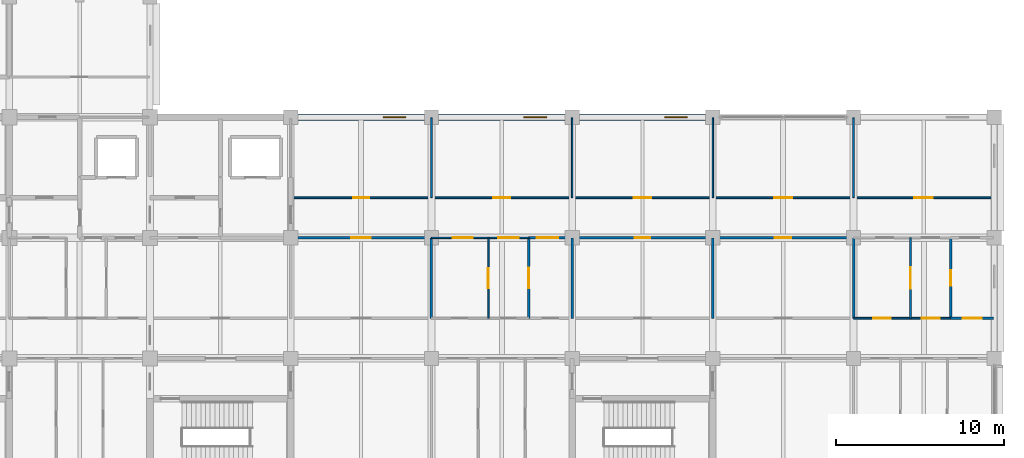
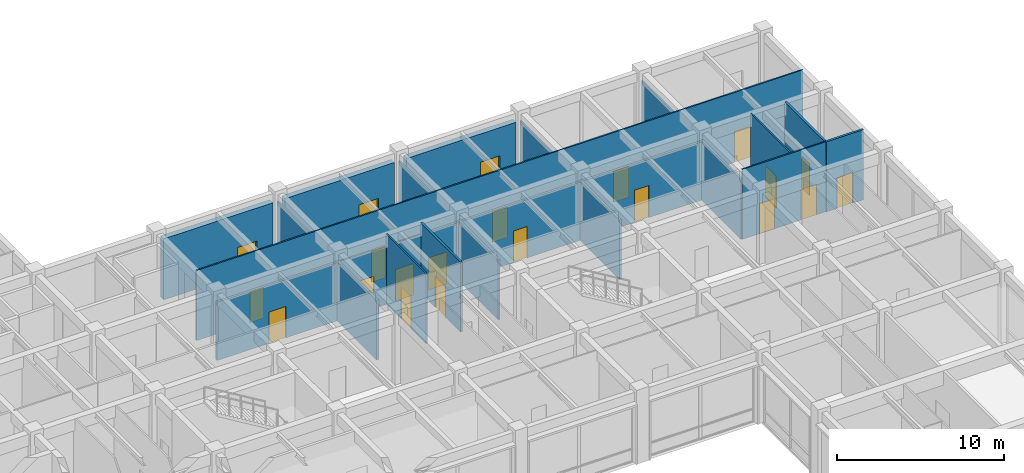
# One storey, part 41 of 51: 21 walls, 18 doors, 3 windows, 21 openings.
"""IFC4 building model written with IfcOpenShell, lengths in metres."""

import ifcopenshell
import ifcopenshell.guid

model = None  # the IFC model being written
_history = None  # IfcOwnerHistory: only IFC2X3 demands one
_inside = {}  # id of a spatial element -> (the spatial element, [elements in it])
_under = {}  # id of a project, library or spatial element -> (it, [spatial elements below it])
_declared = {}  # id of a project -> (the project, [libraries it declares])
_typed = {}  # id of a type object -> (the type object, [elements of that type])
_made_of = {}  # id of a material, layer set ... -> (it, [elements and type objects made of it])


def new_model(schema):
    """Start an empty IFC model of exactly this schema.

    Asked for "IFC4X3", IfcOpenShell would pick the latest addendum, in which some entities
    have other attributes; the version numbers below select the first issue.
    IFC2X3 requires an IfcOwnerHistory on every rooted entity: one is made here for all.
    """
    global model, _history
    if schema == "IFC4X3":
        model = ifcopenshell.file(schema_version=(4, 3, 0, 0))
    else:
        model = ifcopenshell.file(schema=schema)
    _inside.clear()
    _under.clear()
    _declared.clear()
    _typed.clear()
    _made_of.clear()
    _history = None
    if model.schema == "IFC2X3":
        org = make("IfcOrganization", Name="unknown")
        user = make(
            "IfcPersonAndOrganization",
            ThePerson=make("IfcPerson", FamilyName="unknown"),
            TheOrganization=org,
        )
        app = make(
            "IfcApplication",
            ApplicationDeveloper=org,
            Version="unknown",
            ApplicationFullName="unknown",
            ApplicationIdentifier="unknown",
        )
        _history = make(
            "IfcOwnerHistory",
            OwningUser=user,
            OwningApplication=app,
            ChangeAction="ADDED",
            CreationDate=0,
        )
    return model


def make(cls, **values):
    """One entity of the class cls with the attributes given. An attribute that is None is left unset."""
    return model.create_entity(
        cls, **{name: value for name, value in values.items() if value is not None}
    )


def rooted(cls, **values):
    """An entity with a GlobalId (a new one), such as an element, a storey or a relation."""
    return make(cls, GlobalId=ifcopenshell.guid.new(), OwnerHistory=_history, **values)


def si_unit(unit_type, name, prefix=None):
    """IfcSIUnit, for example si_unit("LENGTHUNIT", "METRE", prefix="MILLI")."""
    return make("IfcSIUnit", UnitType=unit_type, Prefix=prefix, Name=name)


def assignment(units):
    """IfcUnitAssignment: the units of a project."""
    return None if units is None else make("IfcUnitAssignment", Units=units)


def point(xyz):
    """IfcCartesianPoint."""
    return None if xyz is None else make("IfcCartesianPoint", Coordinates=xyz)


def direction(xyz):
    """IfcDirection."""
    return None if xyz is None else make("IfcDirection", DirectionRatios=xyz)


def frame(location, z_axis=None, x_axis=None):
    """IfcAxis2Placement3D, a coordinate frame: its origin and axes. An axis left out is left unset."""
    return make(
        "IfcAxis2Placement3D",
        Location=point(location),
        Axis=direction(z_axis),
        RefDirection=direction(x_axis),
    )


def frame_2d(location, x_axis=None):
    """IfcAxis2Placement2D, a coordinate frame in the plane: its origin and x axis."""
    return make(
        "IfcAxis2Placement2D", Location=point(location), RefDirection=direction(x_axis)
    )


def origin():
    """The frame at (0, 0, 0) with its axes left unset."""
    return frame((0.0, 0.0, 0.0))


def place(relative_to, where):
    """IfcLocalPlacement: puts the frame where relative to a parent placement (None: the world)."""
    return make(
        "IfcLocalPlacement", PlacementRelTo=relative_to, RelativePlacement=where
    )


def context(
    kind, dimensions, precision=None, world=None, true_north=None, identifier=None
):
    """IfcGeometricRepresentationContext, for example the 3D "Model" context."""
    return make(
        "IfcGeometricRepresentationContext",
        ContextIdentifier=identifier,
        ContextType=kind,
        CoordinateSpaceDimension=dimensions,
        Precision=precision,
        WorldCoordinateSystem=world,
        TrueNorth=true_north,
    )


def subcontext(parent, identifier, kind, view, scale=None):
    """IfcGeometricRepresentationSubContext, for example "Body" below "Model"."""
    return make(
        "IfcGeometricRepresentationSubContext",
        ContextIdentifier=identifier,
        ContextType=kind,
        ParentContext=parent,
        TargetScale=scale,
        TargetView=view,
    )


def project(units=None, contexts=None):
    """IfcProject with its units and contexts."""
    return rooted(
        "IfcProject",
        Name="project",
        RepresentationContexts=contexts,
        UnitsInContext=assignment(units),
    )


def spatial(cls, under=None, at=None, **own):
    """A site, building, storey or space (cls), placed at a placement, below another one or the project."""
    s = rooted(cls, ObjectPlacement=at, **own)
    if under is not None:
        _under.setdefault(under.id(), (under, []))[1].append(s)
    return s


def profile(cls, at=None, kind="AREA", **sizes):
    """A parametric profile (cls). Its sizes go by their IFC names, for example OverallWidth=200.0."""
    return make(cls, ProfileType=kind, Position=at, **sizes)


def rectangle(**sizes):
    """IfcRectangleProfileDef."""
    return profile("IfcRectangleProfileDef", **sizes)


def extrude(swept, where, along, depth):
    """IfcExtrudedAreaSolid: the profile swept, set in the frame where, extruded along a direction by depth."""
    return make(
        "IfcExtrudedAreaSolid",
        SweptArea=swept,
        Position=where,
        ExtrudedDirection=direction(along),
        Depth=depth,
    )


def shape(context_of_items, identifier, shape_type, items):
    """IfcShapeRepresentation: the items that make up one representation, for example the "Body"."""
    return make(
        "IfcShapeRepresentation",
        ContextOfItems=context_of_items,
        RepresentationIdentifier=identifier,
        RepresentationType=shape_type,
        Items=items,
    )


def material(Name=None, Category=None):
    """IfcMaterial."""
    return make("IfcMaterial", Name=Name, Category=Category)


def layer(
    of_material, thickness, ventilated=None, Name=None, Category=None, Priority=None
):
    """IfcMaterialLayer: one layer of a wall or slab, of a material (None: an air gap)."""
    return make(
        "IfcMaterialLayer",
        Material=of_material,
        LayerThickness=thickness,
        IsVentilated=ventilated,
        Name=Name,
        Category=Category,
        Priority=Priority,
    )


def layer_set(layers, Name=None):
    """IfcMaterialLayerSet."""
    return make("IfcMaterialLayerSet", MaterialLayers=layers, LayerSetName=Name)


def made_of(thing, what):
    """Note that an element or type object is made of a material, layer set ...; save() writes the relation."""
    if what is not None:
        _made_of.setdefault(what.id(), (what, []))[1].append(thing)
    return thing


def type_object(cls, material=None, **own):
    """A type object (cls), such as IfcWallType, which elements share."""
    return made_of(rooted(cls, **own), material)


def element(
    cls,
    number,
    at=None,
    inside=None,
    cuts=None,
    type_object=None,
    material=None,
    context=None,
    identifier="Body",
    shape_type=None,
    held_by="IfcProductDefinitionShape",
    body=None,
    shapes=None,
    **own,
):
    """One element of the class cls, such as IfcWall. Its Tag is "e" and its number.

    at: its placement. inside: the storey or other place that contains it. cuts: it is an
    opening in that element (IfcRelVoidsElement). A single representation is given by context,
    identifier, shape_type and body (its items); several are given by shapes. held_by: the class
    of the entity that holds the representations. save() writes the other relations.
    """
    e = rooted(cls, Tag="e%d" % number, ObjectPlacement=at, **own)
    if body is not None:
        shapes = [shape(context, identifier, shape_type, body)]
    if shapes is not None:
        e.Representation = make(held_by, Representations=shapes)
    if inside is not None:
        _inside.setdefault(inside.id(), (inside, []))[1].append(e)
    if cuts is not None:
        rooted(
            "IfcRelVoidsElement", RelatingBuildingElement=cuts, RelatedOpeningElement=e
        )
    if type_object is not None:
        _typed.setdefault(type_object.id(), (type_object, []))[1].append(e)
    return made_of(e, material)


def fill(opening, filler):
    """IfcRelFillsElement: the door or window that sits in an opening."""
    return rooted(
        "IfcRelFillsElement",
        RelatingOpeningElement=opening,
        RelatedBuildingElement=filler,
    )


def aggregate(whole, parts):
    """IfcRelAggregates: a whole, such as a stair, and the parts it consists of."""
    return rooted("IfcRelAggregates", RelatingObject=whole, RelatedObjects=parts)


def save(model, path):
    """Write the relations noted so far, then the file.

    IfcRelAggregates (storeys below a building ...), IfcRelContainedInSpatialStructure (elements
    in a storey), IfcRelDefinesByType, IfcRelAssociatesMaterial and IfcRelDeclares: one each for
    every whole, place, type object, material and project.
    """
    for whole, parts in _under.values():
        aggregate(whole, parts)
    for where, things in _inside.values():
        rooted(
            "IfcRelContainedInSpatialStructure",
            RelatedElements=things,
            RelatingStructure=where,
        )
    for kind, things in _typed.values():
        rooted("IfcRelDefinesByType", RelatedObjects=things, RelatingType=kind)
    for what, things in _made_of.values():
        rooted("IfcRelAssociatesMaterial", RelatedObjects=things, RelatingMaterial=what)
    for by, libraries in _declared.values():
        rooted("IfcRelDeclares", RelatingContext=by, RelatedDefinitions=libraries)
    model.write(path)


model = new_model("IFC4")

# Units and contexts
model_context = context("Model", 3, precision=1e-05, world=origin(), true_north=direction((0.0, 1.0)))
body_context = subcontext(model_context, "Body", "Model", "MODEL_VIEW")
ifc_project = project(units=[si_unit("LENGTHUNIT", "METRE"), si_unit("AREAUNIT", "SQUARE_METRE"), si_unit("VOLUMEUNIT", "CUBIC_METRE"), si_unit("PLANEANGLEUNIT", "RADIAN"), si_unit("MASSUNIT", "GRAM", prefix="KILO")], contexts=[model_context])

# Site, building, storey
site_placement = place(None, origin())
site = spatial("IfcSite", under=ifc_project, at=site_placement, CompositionType="ELEMENT")
building_placement = place(site_placement, origin())
building = spatial("IfcBuilding", under=site, at=building_placement, Name="Chengyuan Square Courthouse", CompositionType="ELEMENT")
storey_placement = place(building_placement, frame((0.0, 0.0, 10.800048828125)))
storey = spatial("IfcBuildingStorey", under=building, at=storey_placement, Name="L03", CompositionType="ELEMENT", Elevation=10.800048828125)

# Wall, opening, window
ifc_material_1 = material(Name="Concrete C40", Category="concrete")
ifc_layer_1 = layer(ifc_material_1, 0.3798828125)
ifc_layer_set_1 = layer_set([ifc_layer_1], Name="Concrete C40")
wall_type_1 = type_object("IfcWallType", Name="WL-EW1", PredefinedType="STANDARD", material=ifc_layer_set_1)
wall_1_placement = place(storey_placement, frame((126.419921875, 108.0, 0.0), z_axis=(0.0, 0.0, 1.0), x_axis=(1.0, 0.0, 0.0)))
wall_1 = element("IfcWall", 1, at=wall_1_placement, inside=storey, type_object=wall_type_1, Name="Exterior Wall WL-L03-E282", PredefinedType="STANDARD", context=body_context, shape_type="SweptSolid", body=[
    extrude(rectangle(XDim=7.56005859375, YDim=0.3798828125, at=frame_2d((3.780029296875, 0.0))), origin(), (0.0, 0.0, 1.0), 4.469970703125),
])
opening_1_placement = place(wall_1_placement, frame((5.10498046875, 0.0, 0.85009765625)))
opening_1 = element("IfcOpeningElement", 2, at=opening_1_placement, cuts=wall_1, Name="Opening WN-071", PredefinedType="OPENING", context=body_context, shape_type="SweptSolid", body=[
    extrude(rectangle(XDim=1.35009765625, YDim=1.199951171875, at=frame_2d((0.675048828125, 0.60009765625))), frame((0.0, 0.201904296875, 0.0), z_axis=(0.0, -1.0, 0.0), x_axis=(1.0, 0.0, 0.0)), (0.0, 0.0, 1.0), 0.40380859375),
])
ifc_material_2 = material(Name="Thermally Broken Aluminium Triple Low-E Window", Category="aluminium")
window_type_1 = type_object("IfcWindowType", Name="WT-19", PartitioningType="SINGLE_PANEL", PredefinedType="WINDOW", material=ifc_material_2)
window_1_placement = place(opening_1_placement, origin())
window_1 = element("IfcWindow", 3, at=window_1_placement, inside=storey, type_object=window_type_1, Name="Facade Window WN-071", OverallHeight=1.199951171875, OverallWidth=1.35009765625, PartitioningType="SINGLE_PANEL", PredefinedType="WINDOW", context=body_context, shape_type="SweptSolid", body=[
    extrude(rectangle(XDim=1.35009765625, YDim=1.199951171875, at=frame_2d((0.675048828125, 0.60009765625))), frame((0.0, 0.030029296875, 0.0), z_axis=(0.0, -1.0, 0.0), x_axis=(1.0, 0.0, 0.0)), (0.0, 0.0, 1.0), 0.06005859375),
])
fill(opening_1, window_1)

wall_2_placement = place(storey_placement, frame((134.820068359375, 108.0, 0.0), z_axis=(0.0, 0.0, 1.0), x_axis=(1.0, 0.0, 0.0)))
wall_2 = element("IfcWall", 4, at=wall_2_placement, inside=storey, type_object=wall_type_1, Name="Exterior Wall WL-L03-E283", PredefinedType="STANDARD", context=body_context, shape_type="SweptSolid", body=[
    extrude(rectangle(XDim=7.559814453125, YDim=0.3798828125, at=frame_2d((3.77978515625, 0.0))), origin(), (0.0, 0.0, 1.0), 4.469970703125),
])
opening_2_placement = place(wall_2_placement, frame((5.10498046875, 0.0, 0.85009765625)))
opening_2 = element("IfcOpeningElement", 5, at=opening_2_placement, cuts=wall_2, Name="Opening WN-072", PredefinedType="OPENING", context=body_context, shape_type="SweptSolid", body=[
    extrude(rectangle(XDim=1.35009765625, YDim=1.3798828125, at=frame_2d((0.675048828125, 0.68994140625))), frame((0.0, 0.201904296875, 0.0), z_axis=(0.0, -1.0, 0.0), x_axis=(1.0, 0.0, 0.0)), (0.0, 0.0, 1.0), 0.40380859375),
])
window_type_2 = type_object("IfcWindowType", Name="WT-20", PartitioningType="SINGLE_PANEL", PredefinedType="WINDOW", material=ifc_material_2)
window_2_placement = place(opening_2_placement, origin())
window_2 = element("IfcWindow", 6, at=window_2_placement, inside=storey, type_object=window_type_2, Name="Facade Window WN-072", OverallHeight=1.3798828125, OverallWidth=1.35009765625, PartitioningType="SINGLE_PANEL", PredefinedType="WINDOW", context=body_context, shape_type="SweptSolid", body=[
    extrude(rectangle(XDim=1.35009765625, YDim=1.3798828125, at=frame_2d((0.675048828125, 0.68994140625))), frame((0.0, 0.030029296875, 0.0), z_axis=(0.0, -1.0, 0.0), x_axis=(1.0, 0.0, 0.0)), (0.0, 0.0, 1.0), 0.06005859375),
])
fill(opening_2, window_2)

wall_3_placement = place(storey_placement, frame((143.219970703125, 108.0, 0.0), z_axis=(0.0, 0.0, 1.0), x_axis=(1.0, 0.0, 0.0)))
wall_3 = element("IfcWall", 7, at=wall_3_placement, inside=storey, type_object=wall_type_1, Name="Exterior Wall WL-L03-E284", PredefinedType="STANDARD", context=body_context, shape_type="SweptSolid", body=[
    extrude(rectangle(XDim=7.56005859375, YDim=0.3798828125, at=frame_2d((3.780029296875, 0.0))), origin(), (0.0, 0.0, 1.0), 4.469970703125),
])
opening_3_placement = place(wall_3_placement, frame((5.10498046875, 0.0, 0.85009765625)))
opening_3 = element("IfcOpeningElement", 8, at=opening_3_placement, cuts=wall_3, Name="Opening WN-073", PredefinedType="OPENING", context=body_context, shape_type="SweptSolid", body=[
    extrude(rectangle(XDim=1.35009765625, YDim=1.56005859375, at=frame_2d((0.675048828125, 0.780029296875))), frame((0.0, 0.201904296875, 0.0), z_axis=(0.0, -1.0, 0.0), x_axis=(1.0, 0.0, 0.0)), (0.0, 0.0, 1.0), 0.40380859375),
])
window_type_3 = type_object("IfcWindowType", Name="WT-21", PartitioningType="SINGLE_PANEL", PredefinedType="WINDOW", material=ifc_material_2)
window_3_placement = place(opening_3_placement, origin())
window_3 = element("IfcWindow", 9, at=window_3_placement, inside=storey, type_object=window_type_3, Name="Facade Window WN-073", OverallHeight=1.56005859375, OverallWidth=1.35009765625, PartitioningType="SINGLE_PANEL", PredefinedType="WINDOW", context=body_context, shape_type="SweptSolid", body=[
    extrude(rectangle(XDim=1.35009765625, YDim=1.56005859375, at=frame_2d((0.675048828125, 0.780029296875))), frame((0.0, 0.030029296875, 0.0), z_axis=(0.0, -1.0, 0.0), x_axis=(1.0, 0.0, 0.0)), (0.0, 0.0, 1.0), 0.06005859375),
])
fill(opening_3, window_3)

# Wall, opening, door
ifc_material_3 = material(Name="Deliberation Room Sound-Insulated Partition")
ifc_layer_2 = layer(ifc_material_3, 0.14990234375)
ifc_layer_set_2 = layer_set([ifc_layer_2], Name="Deliberation Room Sound-Insulated Partition")
wall_type_2 = type_object("IfcWallType", Name="WL-PT3", PredefinedType="STANDARD", material=ifc_layer_set_2)
wall_4_placement = place(storey_placement, frame((165.39990234375, 96.0, 0.0), z_axis=(0.0, 0.0, 1.0), x_axis=(1.0, 0.0, 0.0)))
wall_4 = element("IfcWall", 10, at=wall_4_placement, inside=storey, type_object=wall_type_2, Name="Interior Wall WL-L03-I1474", PredefinedType="STANDARD", context=body_context, shape_type="SweptSolid", body=[
    extrude(rectangle(XDim=2.56005859375, YDim=0.14990234375, at=frame_2d((1.280029296875, 0.0))), origin(), (0.0, 0.0, 1.0), 5.119873046875),
])
opening_4_placement = place(wall_4_placement, frame((0.719970703125, 0.0, 0.0)))
opening_4 = element("IfcOpeningElement", 11, at=opening_4_placement, cuts=wall_4, Name="Opening DR-1500", PredefinedType="OPENING", context=body_context, shape_type="SweptSolid", body=[
    extrude(rectangle(XDim=1.1201171875, YDim=2.25, at=frame_2d((0.56005859375, 1.125))), frame((0.0, 0.0869140625, 0.0), z_axis=(0.0, -1.0, 0.0), x_axis=(1.0, 0.0, 0.0)), (0.0, 0.0, 1.0), 0.173828125),
])
ifc_material_4 = material(Name="Acoustic Solid-Core Timber Door", Category="wood")
door_type_1 = type_object("IfcDoorType", Name="DT-34", OperationType="NOTDEFINED", PredefinedType="DOOR", material=ifc_material_4)
door_1_placement = place(opening_4_placement, origin())
door_1 = element("IfcDoor", 12, at=door_1_placement, inside=storey, type_object=door_type_1, Name="Interior Door DR-1500", OperationType="SINGLE_SWING_LEFT", OverallHeight=2.25, OverallWidth=1.1201171875, PredefinedType="DOOR", context=body_context, shape_type="SweptSolid", body=[
    extrude(rectangle(XDim=1.1201171875, YDim=2.25, at=frame_2d((0.56005859375, 1.125))), frame((0.0, 0.02490234375, 0.0), z_axis=(0.0, -1.0, 0.0), x_axis=(1.0, 0.0, 0.0)), (0.0, 0.0, 1.0), 0.050048828125),
])
fill(opening_4, door_1)

wall_5_placement = place(storey_placement, frame((126.0, 100.800048828125, 0.0), z_axis=(0.0, 0.0, 1.0), x_axis=(1.0, 0.0, 0.0)))
wall_5 = element("IfcWall", 13, at=wall_5_placement, inside=storey, type_object=wall_type_2, Name="Interior Wall WL-L03-I1493", PredefinedType="STANDARD", context=body_context, shape_type="SweptSolid", body=[
    extrude(rectangle(XDim=8.39990234375, YDim=0.14990234375, at=frame_2d((4.199951171875, 0.0))), origin(), (0.0, 0.0, 1.0), 4.27001953125),
])
opening_5_placement = place(wall_5_placement, frame((3.6201171875, 0.0, 0.0)))
opening_5 = element("IfcOpeningElement", 14, at=opening_5_placement, cuts=wall_5, Name="Opening DR-1433", PredefinedType="OPENING", context=body_context, shape_type="SweptSolid", body=[
    extrude(rectangle(XDim=1.159912109375, YDim=2.300048828125, at=frame_2d((0.580078125, 1.14990234375))), frame((0.0, 0.0869140625, 0.0), z_axis=(0.0, -1.0, 0.0), x_axis=(1.0, 0.0, 0.0)), (0.0, 0.0, 1.0), 0.173828125),
])
door_type_2 = type_object("IfcDoorType", Name="DT-35", OperationType="NOTDEFINED", PredefinedType="DOOR", material=ifc_material_4)
door_2_placement = place(opening_5_placement, origin())
door_2 = element("IfcDoor", 15, at=door_2_placement, inside=storey, type_object=door_type_2, Name="Interior Door DR-1433", OperationType="SINGLE_SWING_LEFT", OverallHeight=2.300048828125, OverallWidth=1.159912109375, PredefinedType="DOOR", context=body_context, shape_type="SweptSolid", body=[
    extrude(rectangle(XDim=1.159912109375, YDim=2.300048828125, at=frame_2d((0.580078125, 1.14990234375))), frame((0.0, 0.02490234375, 0.0), z_axis=(0.0, -1.0, 0.0), x_axis=(1.0, 0.0, 0.0)), (0.0, 0.0, 1.0), 0.050048828125),
])
fill(opening_5, door_2)

# Wall, openings, doors
wall_6_placement = place(storey_placement, frame((140.199951171875, 100.800048828125, 0.0), z_axis=(0.0, 0.0, 1.0), x_axis=(1.0, 0.0, 0.0)))
wall_6 = element("IfcWall", 16, at=wall_6_placement, inside=storey, type_object=wall_type_2, Name="Interior Wall WL-L03-I1495", PredefinedType="STANDARD", context=body_context, shape_type="SweptSolid", body=[
    extrude(rectangle(XDim=19.400146484375, YDim=0.14990234375, at=frame_2d((9.7001953125, 0.0))), origin(), (0.0, 0.0, 1.0), 4.27001953125),
])
opening_6_placement = place(wall_6_placement, frame((0.487548828125, 0.0, 0.0)))
opening_6 = element("IfcOpeningElement", 17, at=opening_6_placement, cuts=wall_6, Name="Opening DR-1436", PredefinedType="OPENING", context=body_context, shape_type="SweptSolid", body=[
    extrude(rectangle(XDim=1.280029296875, YDim=2.35009765625, at=frame_2d((0.64013671875, 1.175048828125))), frame((0.0, 0.0869140625, 0.0), z_axis=(0.0, -1.0, 0.0), x_axis=(1.0, 0.0, 0.0)), (0.0, 0.0, 1.0), 0.173828125),
])
opening_7_placement = place(wall_6_placement, frame((6.330078125, 0.0, 0.0)))
opening_7 = element("IfcOpeningElement", 18, at=opening_7_placement, cuts=wall_6, Name="Opening DR-1437", PredefinedType="OPENING", context=body_context, shape_type="SweptSolid", body=[
    extrude(rectangle(XDim=0.93994140625, YDim=2.300048828125, at=frame_2d((0.469970703125, 1.14990234375))), frame((0.0, 0.0869140625, 0.0), z_axis=(0.0, -1.0, 0.0), x_axis=(1.0, 0.0, 0.0)), (0.0, 0.0, 1.0), 0.173828125),
])
opening_8_placement = place(wall_6_placement, frame((14.7099609375, 0.0, 0.0)))
opening_8 = element("IfcOpeningElement", 19, at=opening_8_placement, cuts=wall_6, Name="Opening DR-1438", PredefinedType="OPENING", context=body_context, shape_type="SweptSolid", body=[
    extrude(rectangle(XDim=0.97998046875, YDim=2.35009765625, at=frame_2d((0.489990234375, 1.175048828125))), frame((0.0, 0.0869140625, 0.0), z_axis=(0.0, -1.0, 0.0), x_axis=(1.0, 0.0, 0.0)), (0.0, 0.0, 1.0), 0.173828125),
])
door_type_3 = type_object("IfcDoorType", Name="DT-38", OperationType="NOTDEFINED", PredefinedType="DOOR", material=ifc_material_4)
door_3_placement = place(opening_6_placement, origin())
door_3 = element("IfcDoor", 20, at=door_3_placement, inside=storey, type_object=door_type_3, Name="Interior Door DR-1436", OperationType="SINGLE_SWING_RIGHT", OverallHeight=2.35009765625, OverallWidth=1.280029296875, PredefinedType="DOOR", context=body_context, shape_type="SweptSolid", body=[
    extrude(rectangle(XDim=1.280029296875, YDim=2.35009765625, at=frame_2d((0.64013671875, 1.175048828125))), frame((0.0, 0.02490234375, 0.0), z_axis=(0.0, -1.0, 0.0), x_axis=(1.0, 0.0, 0.0)), (0.0, 0.0, 1.0), 0.050048828125),
])
fill(opening_6, door_3)
door_type_4 = type_object("IfcDoorType", Name="DT-39", OperationType="NOTDEFINED", PredefinedType="DOOR", material=ifc_material_4)
door_4_placement = place(opening_7_placement, origin())
door_4 = element("IfcDoor", 21, at=door_4_placement, inside=storey, type_object=door_type_4, Name="Interior Door DR-1437", OperationType="SINGLE_SWING_LEFT", OverallHeight=2.300048828125, OverallWidth=0.93994140625, PredefinedType="DOOR", context=body_context, shape_type="SweptSolid", body=[
    extrude(rectangle(XDim=0.93994140625, YDim=2.300048828125, at=frame_2d((0.469970703125, 1.14990234375))), frame((0.0, 0.02490234375, 0.0), z_axis=(0.0, -1.0, 0.0), x_axis=(1.0, 0.0, 0.0)), (0.0, 0.0, 1.0), 0.050048828125),
])
fill(opening_7, door_4)
door_type_5 = type_object("IfcDoorType", Name="DT-40", OperationType="NOTDEFINED", PredefinedType="DOOR", material=ifc_material_4)
door_5_placement = place(opening_8_placement, origin())
door_5 = element("IfcDoor", 22, at=door_5_placement, inside=storey, type_object=door_type_5, Name="Interior Door DR-1438", OperationType="SINGLE_SWING_RIGHT", OverallHeight=2.35009765625, OverallWidth=0.97998046875, PredefinedType="DOOR", context=body_context, shape_type="SweptSolid", body=[
    extrude(rectangle(XDim=0.97998046875, YDim=2.35009765625, at=frame_2d((0.489990234375, 1.175048828125))), frame((0.0, 0.02490234375, 0.0), z_axis=(0.0, -1.0, 0.0), x_axis=(1.0, 0.0, 0.0)), (0.0, 0.0, 1.0), 0.050048828125),
])
fill(opening_8, door_5)

# Wall
wall_7_placement = place(storey_placement, frame((134.39990234375, 96.0, 0.0), z_axis=(0.0, 0.0, 1.0), x_axis=(0.0, 1.0, 0.0)))
element("IfcWall", 23, at=wall_7_placement, inside=storey, type_object=wall_type_2, Name="Interior Wall WL-L03-I1706", PredefinedType="STANDARD", context=body_context, shape_type="SweptSolid", body=[
    extrude(rectangle(XDim=4.800048828125, YDim=0.14990234375, at=frame_2d((2.39990234375, 0.0))), origin(), (0.0, 0.0, 1.0), 4.369873046875),
])

# Wall, opening, door
wall_8_placement = place(storey_placement, frame((140.199951171875, 96.0, 0.0), z_axis=(0.0, 0.0, 1.0), x_axis=(0.0, 1.0, 0.0)))
wall_8 = element("IfcWall", 24, at=wall_8_placement, inside=storey, type_object=wall_type_2, Name="Interior Wall WL-L03-I1711", PredefinedType="STANDARD", context=body_context, shape_type="SweptSolid", body=[
    extrude(rectangle(XDim=4.800048828125, YDim=0.14990234375, at=frame_2d((2.39990234375, 0.0))), origin(), (0.0, 0.0, 1.0), 5.119873046875),
])
opening_9_placement = place(wall_8_placement, frame((1.780029296875, 0.0, 0.0)))
opening_9 = element("IfcOpeningElement", 25, at=opening_9_placement, cuts=wall_8, Name="Opening DR-1520", PredefinedType="OPENING", context=body_context, shape_type="SweptSolid", body=[
    extrude(rectangle(XDim=1.239990234375, YDim=2.300048828125, at=frame_2d((0.6201171875, 1.14990234375))), frame((0.0, 0.0869140625, 0.0), z_axis=(0.0, -1.0, 0.0), x_axis=(1.0, 0.0, 0.0)), (0.0, 0.0, 1.0), 0.173828125),
])
door_type_6 = type_object("IfcDoorType", Name="DT-37", OperationType="NOTDEFINED", PredefinedType="DOOR", material=ifc_material_4)
door_6_placement = place(opening_9_placement, origin())
door_6 = element("IfcDoor", 26, at=door_6_placement, inside=storey, type_object=door_type_6, Name="Interior Door DR-1520", OperationType="SINGLE_SWING_RIGHT", OverallHeight=2.300048828125, OverallWidth=1.239990234375, PredefinedType="DOOR", context=body_context, shape_type="SweptSolid", body=[
    extrude(rectangle(XDim=1.239990234375, YDim=2.300048828125, at=frame_2d((0.6201171875, 1.14990234375))), frame((0.0, 0.02490234375, 0.0), z_axis=(0.0, -1.0, 0.0), x_axis=(1.0, 0.0, 0.0)), (0.0, 0.0, 1.0), 0.050048828125),
])
fill(opening_9, door_6)

# Walls
for number, where, z_axis, x_axis, name in (
    (27, (142.800048828125, 96.0, 0.0), (0.0, 0.0, 1.0), (0.0, 1.0, 0.0), "Interior Wall WL-L03-I1715"),
    (28, (151.199951171875, 96.0, 0.0), (0.0, 0.0, 1.0), (0.0, 1.0, 0.0), "Interior Wall WL-L03-I1720"),
    (29, (159.60009765625, 96.0, 0.0), (0.0, 0.0, 1.0), (0.0, 1.0, 0.0), "Interior Wall WL-L03-I1731"),
):
    element("IfcWall", number, at=place(storey_placement, frame(where, z_axis=z_axis, x_axis=x_axis)), inside=storey, type_object=wall_type_2, Name=name, PredefinedType="STANDARD", context=body_context, shape_type="SweptSolid", body=[
        extrude(rectangle(XDim=4.800048828125, YDim=0.14990234375, at=frame_2d((2.39990234375, 0.0))), origin(), (0.0, 0.0, 1.0), 4.369873046875),
    ])

# Wall, opening, door
wall_9_placement = place(storey_placement, frame((165.39990234375, 96.0, 0.0), z_axis=(0.0, 0.0, 1.0), x_axis=(0.0, 1.0, 0.0)))
wall_9 = element("IfcWall", 30, at=wall_9_placement, inside=storey, type_object=wall_type_2, Name="Interior Wall WL-L03-I1736", PredefinedType="STANDARD", context=body_context, shape_type="SweptSolid", body=[
    extrude(rectangle(XDim=4.800048828125, YDim=0.14990234375, at=frame_2d((2.39990234375, 0.0))), origin(), (0.0, 0.0, 1.0), 5.119873046875),
])
opening_10_placement = place(wall_9_placement, frame((1.929931640625, 0.0, 0.0)))
opening_10 = element("IfcOpeningElement", 31, at=opening_10_placement, cuts=wall_9, Name="Opening DR-1522", PredefinedType="OPENING", context=body_context, shape_type="SweptSolid", body=[
    extrude(rectangle(XDim=0.93994140625, YDim=2.300048828125, at=frame_2d((0.469970703125, 1.14990234375))), frame((0.0, 0.0869140625, 0.0), z_axis=(0.0, -1.0, 0.0), x_axis=(1.0, 0.0, 0.0)), (0.0, 0.0, 1.0), 0.173828125),
])
door_7_placement = place(opening_10_placement, origin())
door_7 = element("IfcDoor", 32, at=door_7_placement, inside=storey, type_object=door_type_4, Name="Interior Door DR-1522", OperationType="SINGLE_SWING_RIGHT", OverallHeight=2.300048828125, OverallWidth=0.93994140625, PredefinedType="DOOR", context=body_context, shape_type="SweptSolid", body=[
    extrude(rectangle(XDim=0.93994140625, YDim=2.300048828125, at=frame_2d((0.469970703125, 1.14990234375))), frame((0.0, 0.02490234375, 0.0), z_axis=(0.0, -1.0, 0.0), x_axis=(1.0, 0.0, 0.0)), (0.0, 0.0, 1.0), 0.050048828125),
])
fill(opening_10, door_7)

# Wall, openings, doors
ifc_material_5 = material(Name="Gypsum Plasterboard Acoustic Stud Partition")
ifc_layer_3 = layer(ifc_material_5, 0.10009765625)
ifc_layer_set_3 = layer_set([ifc_layer_3], Name="Gypsum Plasterboard Acoustic Stud Partition")
wall_type_3 = type_object("IfcWallType", Name="WL-PT6", PredefinedType="STANDARD", material=ifc_layer_set_3)
wall_10_placement = place(storey_placement, frame((159.60009765625, 96.0, 0.0), z_axis=(0.0, 0.0, 1.0), x_axis=(1.0, 0.0, 0.0)))
wall_10 = element("IfcWall", 33, at=wall_10_placement, inside=storey, type_object=wall_type_3, Name="Interior Wall WL-L03-I1473", PredefinedType="STANDARD", context=body_context, shape_type="SweptSolid", body=[
    extrude(rectangle(XDim=5.7998046875, YDim=0.10009765625, at=frame_2d((2.89990234375, 0.0))), origin(), (0.0, 0.0, 1.0), 5.119873046875),
])
opening_11_placement = place(wall_10_placement, frame((1.179931640625, 0.0, 0.0)))
opening_11 = element("IfcOpeningElement", 34, at=opening_11_placement, cuts=wall_10, Name="Opening DR-1498", PredefinedType="OPENING", context=body_context, shape_type="SweptSolid", body=[
    extrude(rectangle(XDim=1.0400390625, YDim=2.199951171875, at=frame_2d((0.52001953125, 1.10009765625))), frame((0.0, 0.06201171875, 0.0), z_axis=(0.0, -1.0, 0.0), x_axis=(1.0, 0.0, 0.0)), (0.0, 0.0, 1.0), 0.1240234375),
])
opening_12_placement = place(wall_10_placement, frame((4.06005859375, 0.0, 0.0)))
opening_12 = element("IfcOpeningElement", 35, at=opening_12_placement, cuts=wall_10, Name="Opening DR-1499", PredefinedType="OPENING", context=body_context, shape_type="SweptSolid", body=[
    extrude(rectangle(XDim=1.080078125, YDim=2.25, at=frame_2d((0.5400390625, 1.125))), frame((0.0, 0.06201171875, 0.0), z_axis=(0.0, -1.0, 0.0), x_axis=(1.0, 0.0, 0.0)), (0.0, 0.0, 1.0), 0.1240234375),
])
door_type_7 = type_object("IfcDoorType", Name="DT-32", OperationType="NOTDEFINED", PredefinedType="DOOR", material=ifc_material_4)
door_8_placement = place(opening_11_placement, origin())
door_8 = element("IfcDoor", 36, at=door_8_placement, inside=storey, type_object=door_type_7, Name="Interior Door DR-1498", OperationType="SINGLE_SWING_LEFT", OverallHeight=2.199951171875, OverallWidth=1.0400390625, PredefinedType="DOOR", context=body_context, shape_type="SweptSolid", body=[
    extrude(rectangle(XDim=1.0400390625, YDim=2.199951171875, at=frame_2d((0.52001953125, 1.10009765625))), frame((0.0, 0.02490234375, 0.0), z_axis=(0.0, -1.0, 0.0), x_axis=(1.0, 0.0, 0.0)), (0.0, 0.0, 1.0), 0.050048828125),
])
fill(opening_11, door_8)
door_type_8 = type_object("IfcDoorType", Name="DT-33", OperationType="NOTDEFINED", PredefinedType="DOOR", material=ifc_material_4)
door_9_placement = place(opening_12_placement, origin())
door_9 = element("IfcDoor", 37, at=door_9_placement, inside=storey, type_object=door_type_8, Name="Interior Door DR-1499", OperationType="SINGLE_SWING_RIGHT", OverallHeight=2.25, OverallWidth=1.080078125, PredefinedType="DOOR", context=body_context, shape_type="SweptSolid", body=[
    extrude(rectangle(XDim=1.080078125, YDim=2.25, at=frame_2d((0.5400390625, 1.125))), frame((0.0, 0.02490234375, 0.0), z_axis=(0.0, -1.0, 0.0), x_axis=(1.0, 0.0, 0.0)), (0.0, 0.0, 1.0), 0.050048828125),
])
fill(opening_12, door_9)

wall_11_placement = place(storey_placement, frame((134.39990234375, 100.800048828125, 0.0), z_axis=(0.0, 0.0, 1.0), x_axis=(1.0, 0.0, 0.0)))
wall_11 = element("IfcWall", 38, at=wall_11_placement, inside=storey, type_object=wall_type_3, Name="Interior Wall WL-L03-I1494", PredefinedType="STANDARD", context=body_context, shape_type="SweptSolid", body=[
    extrude(rectangle(XDim=5.800048828125, YDim=0.10009765625, at=frame_2d((2.89990234375, 0.0))), origin(), (0.0, 0.0, 1.0), 4.27001953125),
])
opening_13_placement = place(wall_11_placement, frame((1.2724609375, 0.0, 0.0)))
opening_13 = element("IfcOpeningElement", 39, at=opening_13_placement, cuts=wall_11, Name="Opening DR-1434", PredefinedType="OPENING", context=body_context, shape_type="SweptSolid", body=[
    extrude(rectangle(XDim=1.199951171875, YDim=2.35009765625, at=frame_2d((0.60009765625, 1.175048828125))), frame((0.0, 0.06201171875, 0.0), z_axis=(0.0, -1.0, 0.0), x_axis=(1.0, 0.0, 0.0)), (0.0, 0.0, 1.0), 0.1240234375),
])
opening_14_placement = place(wall_11_placement, frame((3.97998046875, 0.0, 0.0)))
opening_14 = element("IfcOpeningElement", 40, at=opening_14_placement, cuts=wall_11, Name="Opening DR-1435", PredefinedType="OPENING", context=body_context, shape_type="SweptSolid", body=[
    extrude(rectangle(XDim=1.239990234375, YDim=2.300048828125, at=frame_2d((0.6201171875, 1.14990234375))), frame((0.0, 0.06201171875, 0.0), z_axis=(0.0, -1.0, 0.0), x_axis=(1.0, 0.0, 0.0)), (0.0, 0.0, 1.0), 0.1240234375),
])
door_type_9 = type_object("IfcDoorType", Name="DT-36", OperationType="NOTDEFINED", PredefinedType="DOOR", material=ifc_material_4)
door_10_placement = place(opening_13_placement, origin())
door_10 = element("IfcDoor", 41, at=door_10_placement, inside=storey, type_object=door_type_9, Name="Interior Door DR-1434", OperationType="SINGLE_SWING_RIGHT", OverallHeight=2.35009765625, OverallWidth=1.199951171875, PredefinedType="DOOR", context=body_context, shape_type="SweptSolid", body=[
    extrude(rectangle(XDim=1.199951171875, YDim=2.35009765625, at=frame_2d((0.60009765625, 1.175048828125))), frame((0.0, 0.02490234375, 0.0), z_axis=(0.0, -1.0, 0.0), x_axis=(1.0, 0.0, 0.0)), (0.0, 0.0, 1.0), 0.050048828125),
])
fill(opening_13, door_10)
door_11_placement = place(opening_14_placement, origin())
door_11 = element("IfcDoor", 42, at=door_11_placement, inside=storey, type_object=door_type_6, Name="Interior Door DR-1435", OperationType="SINGLE_SWING_LEFT", OverallHeight=2.300048828125, OverallWidth=1.239990234375, PredefinedType="DOOR", context=body_context, shape_type="SweptSolid", body=[
    extrude(rectangle(XDim=1.239990234375, YDim=2.300048828125, at=frame_2d((0.6201171875, 1.14990234375))), frame((0.0, 0.02490234375, 0.0), z_axis=(0.0, -1.0, 0.0), x_axis=(1.0, 0.0, 0.0)), (0.0, 0.0, 1.0), 0.050048828125),
])
fill(opening_14, door_11)

wall_12_placement = place(storey_placement, frame((126.0, 103.199951171875, 0.0), z_axis=(0.0, 0.0, 1.0), x_axis=(1.0, 0.0, 0.0)))
wall_12 = element("IfcWall", 43, at=wall_12_placement, inside=storey, type_object=wall_type_3, Name="Interior Wall WL-L03-I1507", PredefinedType="STANDARD", context=body_context, shape_type="SweptSolid", body=[
    extrude(rectangle(XDim=41.9599609375, YDim=0.10009765625, at=frame_2d((20.97998046875, 0.0))), origin(), (0.0, 0.0, 1.0), 5.119873046875),
])
opening_15_placement = place(wall_12_placement, frame((3.719970703125, 0.0, 0.0)))
opening_15 = element("IfcOpeningElement", 44, at=opening_15_placement, cuts=wall_12, Name="Opening DR-1428", PredefinedType="OPENING", context=body_context, shape_type="SweptSolid", body=[
    extrude(rectangle(XDim=0.9599609375, YDim=2.199951171875, at=frame_2d((0.47998046875, 1.10009765625))), frame((0.0, 0.06201171875, 0.0), z_axis=(0.0, -1.0, 0.0), x_axis=(1.0, 0.0, 0.0)), (0.0, 0.0, 1.0), 0.1240234375),
])
opening_16_placement = place(wall_12_placement, frame((12.10009765625, 0.0, 0.0)))
opening_16 = element("IfcOpeningElement", 45, at=opening_16_placement, cuts=wall_12, Name="Opening DR-1429", PredefinedType="OPENING", context=body_context, shape_type="SweptSolid", body=[
    extrude(rectangle(XDim=1.0, YDim=2.25, at=frame_2d((0.5, 1.125))), frame((0.0, 0.06201171875, 0.0), z_axis=(0.0, -1.0, 0.0), x_axis=(1.0, 0.0, 0.0)), (0.0, 0.0, 1.0), 0.1240234375),
])
opening_17_placement = place(wall_12_placement, frame((20.47998046875, 0.0, 0.0)))
opening_17 = element("IfcOpeningElement", 46, at=opening_17_placement, cuts=wall_12, Name="Opening DR-1430", PredefinedType="OPENING", context=body_context, shape_type="SweptSolid", body=[
    extrude(rectangle(XDim=1.0400390625, YDim=2.199951171875, at=frame_2d((0.52001953125, 1.10009765625))), frame((0.0, 0.06201171875, 0.0), z_axis=(0.0, -1.0, 0.0), x_axis=(1.0, 0.0, 0.0)), (0.0, 0.0, 1.0), 0.1240234375),
])
opening_18_placement = place(wall_12_placement, frame((28.860107421875, 0.0, 0.0)))
opening_18 = element("IfcOpeningElement", 47, at=opening_18_placement, cuts=wall_12, Name="Opening DR-1431", PredefinedType="OPENING", context=body_context, shape_type="SweptSolid", body=[
    extrude(rectangle(XDim=1.080078125, YDim=2.25, at=frame_2d((0.5400390625, 1.125))), frame((0.0, 0.06201171875, 0.0), z_axis=(0.0, -1.0, 0.0), x_axis=(1.0, 0.0, 0.0)), (0.0, 0.0, 1.0), 0.1240234375),
])
opening_19_placement = place(wall_12_placement, frame((37.219970703125, 0.0, 0.0)))
opening_19 = element("IfcOpeningElement", 48, at=opening_19_placement, cuts=wall_12, Name="Opening DR-1432", PredefinedType="OPENING", context=body_context, shape_type="SweptSolid", body=[
    extrude(rectangle(XDim=1.1201171875, YDim=2.25, at=frame_2d((0.56005859375, 1.125))), frame((0.0, 0.06201171875, 0.0), z_axis=(0.0, -1.0, 0.0), x_axis=(1.0, 0.0, 0.0)), (0.0, 0.0, 1.0), 0.1240234375),
])
door_type_10 = type_object("IfcDoorType", Name="DT-30", OperationType="NOTDEFINED", PredefinedType="DOOR", material=ifc_material_4)
door_12_placement = place(opening_15_placement, origin())
door_12 = element("IfcDoor", 49, at=door_12_placement, inside=storey, type_object=door_type_10, Name="Interior Door DR-1428", OperationType="SINGLE_SWING_RIGHT", OverallHeight=2.199951171875, OverallWidth=0.9599609375, PredefinedType="DOOR", context=body_context, shape_type="SweptSolid", body=[
    extrude(rectangle(XDim=0.9599609375, YDim=2.199951171875, at=frame_2d((0.47998046875, 1.10009765625))), frame((0.0, 0.02490234375, 0.0), z_axis=(0.0, -1.0, 0.0), x_axis=(1.0, 0.0, 0.0)), (0.0, 0.0, 1.0), 0.050048828125),
])
fill(opening_15, door_12)
door_type_11 = type_object("IfcDoorType", Name="DT-31", OperationType="NOTDEFINED", PredefinedType="DOOR", material=ifc_material_4)
door_13_placement = place(opening_16_placement, origin())
door_13 = element("IfcDoor", 50, at=door_13_placement, inside=storey, type_object=door_type_11, Name="Interior Door DR-1429", OperationType="SINGLE_SWING_LEFT", OverallHeight=2.25, OverallWidth=1.0, PredefinedType="DOOR", context=body_context, shape_type="SweptSolid", body=[
    extrude(rectangle(XDim=1.0, YDim=2.25, at=frame_2d((0.5, 1.125))), frame((0.0, 0.02490234375, 0.0), z_axis=(0.0, -1.0, 0.0), x_axis=(1.0, 0.0, 0.0)), (0.0, 0.0, 1.0), 0.050048828125),
])
fill(opening_16, door_13)
door_14_placement = place(opening_17_placement, origin())
door_14 = element("IfcDoor", 51, at=door_14_placement, inside=storey, type_object=door_type_7, Name="Interior Door DR-1430", OperationType="SINGLE_SWING_RIGHT", OverallHeight=2.199951171875, OverallWidth=1.0400390625, PredefinedType="DOOR", context=body_context, shape_type="SweptSolid", body=[
    extrude(rectangle(XDim=1.0400390625, YDim=2.199951171875, at=frame_2d((0.52001953125, 1.10009765625))), frame((0.0, 0.02490234375, 0.0), z_axis=(0.0, -1.0, 0.0), x_axis=(1.0, 0.0, 0.0)), (0.0, 0.0, 1.0), 0.050048828125),
])
fill(opening_17, door_14)
door_15_placement = place(opening_18_placement, origin())
door_15 = element("IfcDoor", 52, at=door_15_placement, inside=storey, type_object=door_type_8, Name="Interior Door DR-1431", OperationType="SINGLE_SWING_LEFT", OverallHeight=2.25, OverallWidth=1.080078125, PredefinedType="DOOR", context=body_context, shape_type="SweptSolid", body=[
    extrude(rectangle(XDim=1.080078125, YDim=2.25, at=frame_2d((0.5400390625, 1.125))), frame((0.0, 0.02490234375, 0.0), z_axis=(0.0, -1.0, 0.0), x_axis=(1.0, 0.0, 0.0)), (0.0, 0.0, 1.0), 0.050048828125),
])
fill(opening_18, door_15)
door_16_placement = place(opening_19_placement, origin())
door_16 = element("IfcDoor", 53, at=door_16_placement, inside=storey, type_object=door_type_1, Name="Interior Door DR-1432", OperationType="SINGLE_SWING_RIGHT", OverallHeight=2.25, OverallWidth=1.1201171875, PredefinedType="DOOR", context=body_context, shape_type="SweptSolid", body=[
    extrude(rectangle(XDim=1.1201171875, YDim=2.25, at=frame_2d((0.56005859375, 1.125))), frame((0.0, 0.02490234375, 0.0), z_axis=(0.0, -1.0, 0.0), x_axis=(1.0, 0.0, 0.0)), (0.0, 0.0, 1.0), 0.050048828125),
])
fill(opening_19, door_16)

# Wall
wall_13_placement = place(storey_placement, frame((134.39990234375, 103.199951171875, 0.0), z_axis=(0.0, 0.0, 1.0), x_axis=(0.0, 1.0, 0.0)))
element("IfcWall", 54, at=wall_13_placement, inside=storey, type_object=wall_type_3, Name="Interior Wall WL-L03-I1707", PredefinedType="STANDARD", context=body_context, shape_type="SweptSolid", body=[
    extrude(rectangle(XDim=4.760009765625, YDim=0.10009765625, at=frame_2d((2.3798828125, 0.0))), origin(), (0.0, 0.0, 1.0), 4.369873046875),
])

# Wall, opening, door
wall_14_placement = place(storey_placement, frame((137.800048828125, 96.0, 0.0), z_axis=(0.0, 0.0, 1.0), x_axis=(0.0, 1.0, 0.0)))
wall_14 = element("IfcWall", 55, at=wall_14_placement, inside=storey, type_object=wall_type_3, Name="Interior Wall WL-L03-I1709", PredefinedType="STANDARD", context=body_context, shape_type="SweptSolid", body=[
    extrude(rectangle(XDim=4.800048828125, YDim=0.10009765625, at=frame_2d((2.39990234375, 0.0))), origin(), (0.0, 0.0, 1.0), 5.119873046875),
])
opening_20_placement = place(wall_14_placement, frame((1.800048828125, 0.0, 0.0)))
opening_20 = element("IfcOpeningElement", 56, at=opening_20_placement, cuts=wall_14, Name="Opening DR-1519", PredefinedType="OPENING", context=body_context, shape_type="SweptSolid", body=[
    extrude(rectangle(XDim=1.199951171875, YDim=2.35009765625, at=frame_2d((0.60009765625, 1.175048828125))), frame((0.0, 0.06201171875, 0.0), z_axis=(0.0, -1.0, 0.0), x_axis=(1.0, 0.0, 0.0)), (0.0, 0.0, 1.0), 0.1240234375),
])
door_17_placement = place(opening_20_placement, origin())
door_17 = element("IfcDoor", 57, at=door_17_placement, inside=storey, type_object=door_type_9, Name="Interior Door DR-1519", OperationType="SINGLE_SWING_LEFT", OverallHeight=2.35009765625, OverallWidth=1.199951171875, PredefinedType="DOOR", context=body_context, shape_type="SweptSolid", body=[
    extrude(rectangle(XDim=1.199951171875, YDim=2.35009765625, at=frame_2d((0.60009765625, 1.175048828125))), frame((0.0, 0.02490234375, 0.0), z_axis=(0.0, -1.0, 0.0), x_axis=(1.0, 0.0, 0.0)), (0.0, 0.0, 1.0), 0.050048828125),
])
fill(opening_20, door_17)

# Walls
for number, where, z_axis, x_axis, name in (
    (58, (142.800048828125, 103.199951171875, 0.0), (0.0, 0.0, 1.0), (0.0, 1.0, 0.0), "Interior Wall WL-L03-I1716"),
    (59, (151.199951171875, 103.199951171875, 0.0), (0.0, 0.0, 1.0), (0.0, 1.0, 0.0), "Interior Wall WL-L03-I1721"),
    (60, (159.60009765625, 103.199951171875, 0.0), (0.0, 0.0, 1.0), (0.0, 1.0, 0.0), "Interior Wall WL-L03-I1732"),
):
    element("IfcWall", number, at=place(storey_placement, frame(where, z_axis=z_axis, x_axis=x_axis)), inside=storey, type_object=wall_type_3, Name=name, PredefinedType="STANDARD", context=body_context, shape_type="SweptSolid", body=[
        extrude(rectangle(XDim=4.760009765625, YDim=0.10009765625, at=frame_2d((2.3798828125, 0.0))), origin(), (0.0, 0.0, 1.0), 4.369873046875),
    ])

# Wall, opening, door
wall_15_placement = place(storey_placement, frame((163.0, 96.0, 0.0), z_axis=(0.0, 0.0, 1.0), x_axis=(0.0, 1.0, 0.0)))
wall_15 = element("IfcWall", 61, at=wall_15_placement, inside=storey, type_object=wall_type_3, Name="Interior Wall WL-L03-I1734", PredefinedType="STANDARD", context=body_context, shape_type="SweptSolid", body=[
    extrude(rectangle(XDim=4.800048828125, YDim=0.10009765625, at=frame_2d((2.39990234375, 0.0))), origin(), (0.0, 0.0, 1.0), 5.119873046875),
])
opening_21_placement = place(wall_15_placement, frame((1.760009765625, 0.0, 0.0)))
opening_21 = element("IfcOpeningElement", 62, at=opening_21_placement, cuts=wall_15, Name="Opening DR-1521", PredefinedType="OPENING", context=body_context, shape_type="SweptSolid", body=[
    extrude(rectangle(XDim=1.280029296875, YDim=2.35009765625, at=frame_2d((0.64013671875, 1.175048828125))), frame((0.0, 0.06201171875, 0.0), z_axis=(0.0, -1.0, 0.0), x_axis=(1.0, 0.0, 0.0)), (0.0, 0.0, 1.0), 0.1240234375),
])
door_18_placement = place(opening_21_placement, origin())
door_18 = element("IfcDoor", 63, at=door_18_placement, inside=storey, type_object=door_type_3, Name="Interior Door DR-1521", OperationType="SINGLE_SWING_LEFT", OverallHeight=2.35009765625, OverallWidth=1.280029296875, PredefinedType="DOOR", context=body_context, shape_type="SweptSolid", body=[
    extrude(rectangle(XDim=1.280029296875, YDim=2.35009765625, at=frame_2d((0.64013671875, 1.175048828125))), frame((0.0, 0.02490234375, 0.0), z_axis=(0.0, -1.0, 0.0), x_axis=(1.0, 0.0, 0.0)), (0.0, 0.0, 1.0), 0.050048828125),
])
fill(opening_21, door_18)

save(model, "model.ifc")
